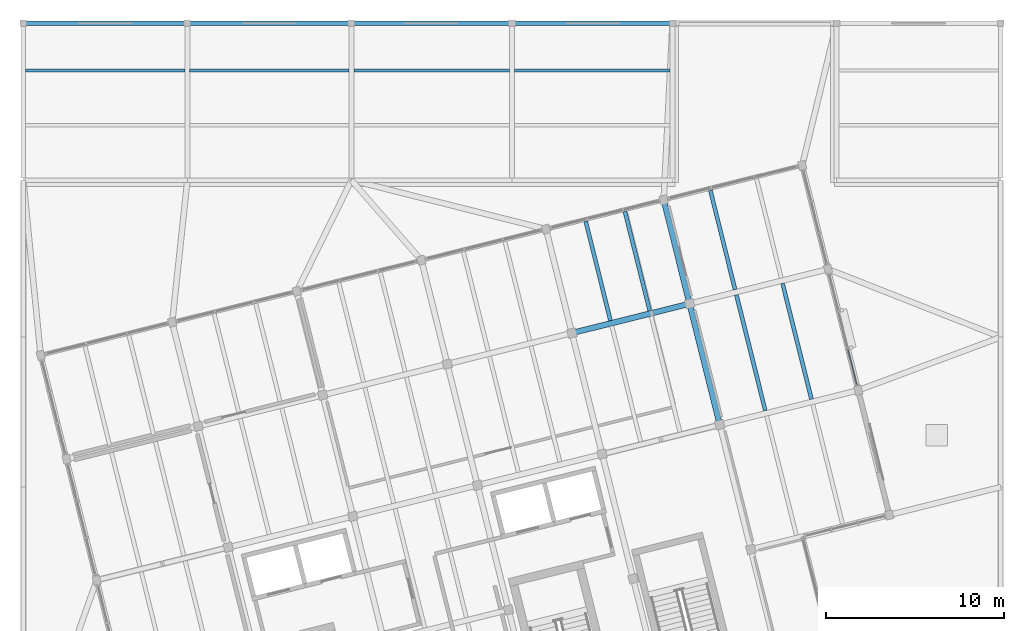
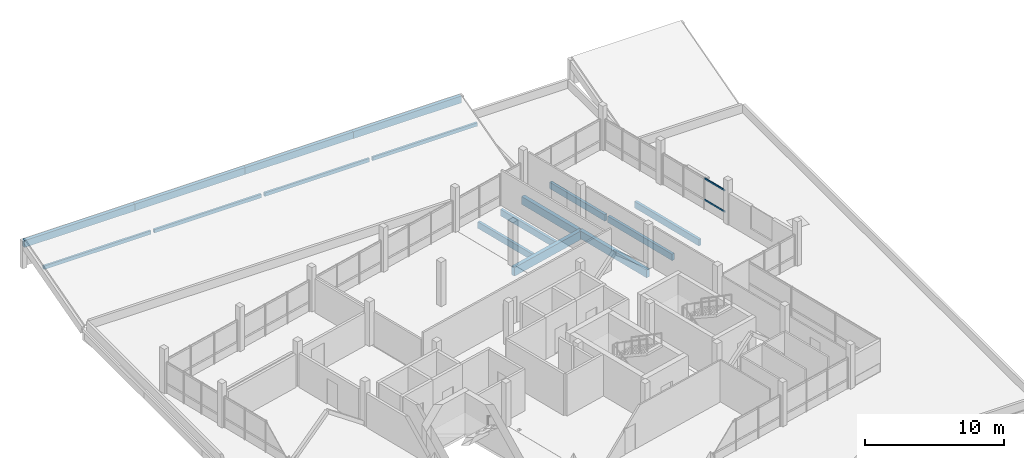
# One storey, part 27 of 37: 12 beams, 6 members, 1 element without a shape of its own.
"""IFC4 building model written with IfcOpenShell, lengths in metres."""

import ifcopenshell
import ifcopenshell.guid

model = None  # the IFC model being written
_history = None  # IfcOwnerHistory: only IFC2X3 demands one
_inside = {}  # id of a spatial element -> (the spatial element, [elements in it])
_under = {}  # id of a project, library or spatial element -> (it, [spatial elements below it])
_declared = {}  # id of a project -> (the project, [libraries it declares])
_typed = {}  # id of a type object -> (the type object, [elements of that type])
_made_of = {}  # id of a material, layer set ... -> (it, [elements and type objects made of it])


def new_model(schema):
    """Start an empty IFC model of exactly this schema.

    Asked for "IFC4X3", IfcOpenShell would pick the latest addendum, in which some entities
    have other attributes; the version numbers below select the first issue.
    IFC2X3 requires an IfcOwnerHistory on every rooted entity: one is made here for all.
    """
    global model, _history
    if schema == "IFC4X3":
        model = ifcopenshell.file(schema_version=(4, 3, 0, 0))
    else:
        model = ifcopenshell.file(schema=schema)
    _inside.clear()
    _under.clear()
    _declared.clear()
    _typed.clear()
    _made_of.clear()
    _history = None
    if model.schema == "IFC2X3":
        org = make("IfcOrganization", Name="unknown")
        user = make(
            "IfcPersonAndOrganization",
            ThePerson=make("IfcPerson", FamilyName="unknown"),
            TheOrganization=org,
        )
        app = make(
            "IfcApplication",
            ApplicationDeveloper=org,
            Version="unknown",
            ApplicationFullName="unknown",
            ApplicationIdentifier="unknown",
        )
        _history = make(
            "IfcOwnerHistory",
            OwningUser=user,
            OwningApplication=app,
            ChangeAction="ADDED",
            CreationDate=0,
        )
    return model


def make(cls, **values):
    """One entity of the class cls with the attributes given. An attribute that is None is left unset."""
    return model.create_entity(
        cls, **{name: value for name, value in values.items() if value is not None}
    )


def rooted(cls, **values):
    """An entity with a GlobalId (a new one), such as an element, a storey or a relation."""
    return make(cls, GlobalId=ifcopenshell.guid.new(), OwnerHistory=_history, **values)


def si_unit(unit_type, name, prefix=None):
    """IfcSIUnit, for example si_unit("LENGTHUNIT", "METRE", prefix="MILLI")."""
    return make("IfcSIUnit", UnitType=unit_type, Prefix=prefix, Name=name)


def assignment(units):
    """IfcUnitAssignment: the units of a project."""
    return None if units is None else make("IfcUnitAssignment", Units=units)


def point(xyz):
    """IfcCartesianPoint."""
    return None if xyz is None else make("IfcCartesianPoint", Coordinates=xyz)


def direction(xyz):
    """IfcDirection."""
    return None if xyz is None else make("IfcDirection", DirectionRatios=xyz)


def frame(location, z_axis=None, x_axis=None):
    """IfcAxis2Placement3D, a coordinate frame: its origin and axes. An axis left out is left unset."""
    return make(
        "IfcAxis2Placement3D",
        Location=point(location),
        Axis=direction(z_axis),
        RefDirection=direction(x_axis),
    )


def frame_2d(location, x_axis=None):
    """IfcAxis2Placement2D, a coordinate frame in the plane: its origin and x axis."""
    return make(
        "IfcAxis2Placement2D", Location=point(location), RefDirection=direction(x_axis)
    )


def origin():
    """The frame at (0, 0, 0) with its axes left unset."""
    return frame((0.0, 0.0, 0.0))


def origin_2d():
    """The frame at (0, 0) in the plane with its x axis left unset."""
    return frame_2d((0.0, 0.0))


def place(relative_to, where):
    """IfcLocalPlacement: puts the frame where relative to a parent placement (None: the world)."""
    return make(
        "IfcLocalPlacement", PlacementRelTo=relative_to, RelativePlacement=where
    )


def context(
    kind, dimensions, precision=None, world=None, true_north=None, identifier=None
):
    """IfcGeometricRepresentationContext, for example the 3D "Model" context."""
    return make(
        "IfcGeometricRepresentationContext",
        ContextIdentifier=identifier,
        ContextType=kind,
        CoordinateSpaceDimension=dimensions,
        Precision=precision,
        WorldCoordinateSystem=world,
        TrueNorth=true_north,
    )


def subcontext(parent, identifier, kind, view, scale=None):
    """IfcGeometricRepresentationSubContext, for example "Body" below "Model"."""
    return make(
        "IfcGeometricRepresentationSubContext",
        ContextIdentifier=identifier,
        ContextType=kind,
        ParentContext=parent,
        TargetScale=scale,
        TargetView=view,
    )


def project(units=None, contexts=None):
    """IfcProject with its units and contexts."""
    return rooted(
        "IfcProject",
        Name="project",
        RepresentationContexts=contexts,
        UnitsInContext=assignment(units),
    )


def spatial(cls, under=None, at=None, **own):
    """A site, building, storey or space (cls), placed at a placement, below another one or the project."""
    s = rooted(cls, ObjectPlacement=at, **own)
    if under is not None:
        _under.setdefault(under.id(), (under, []))[1].append(s)
    return s


def profile(cls, at=None, kind="AREA", **sizes):
    """A parametric profile (cls). Its sizes go by their IFC names, for example OverallWidth=200.0."""
    return make(cls, ProfileType=kind, Position=at, **sizes)


def rectangle(**sizes):
    """IfcRectangleProfileDef."""
    return profile("IfcRectangleProfileDef", **sizes)


def hollow_rectangle(**sizes):
    """IfcRectangleHollowProfileDef."""
    return profile("IfcRectangleHollowProfileDef", **sizes)


def extrude(swept, where, along, depth):
    """IfcExtrudedAreaSolid: the profile swept, set in the frame where, extruded along a direction by depth."""
    return make(
        "IfcExtrudedAreaSolid",
        SweptArea=swept,
        Position=where,
        ExtrudedDirection=direction(along),
        Depth=depth,
    )


def shape(context_of_items, identifier, shape_type, items):
    """IfcShapeRepresentation: the items that make up one representation, for example the "Body"."""
    return make(
        "IfcShapeRepresentation",
        ContextOfItems=context_of_items,
        RepresentationIdentifier=identifier,
        RepresentationType=shape_type,
        Items=items,
    )


def material(Name=None, Category=None):
    """IfcMaterial."""
    return make("IfcMaterial", Name=Name, Category=Category)


def layer(
    of_material, thickness, ventilated=None, Name=None, Category=None, Priority=None
):
    """IfcMaterialLayer: one layer of a wall or slab, of a material (None: an air gap)."""
    return make(
        "IfcMaterialLayer",
        Material=of_material,
        LayerThickness=thickness,
        IsVentilated=ventilated,
        Name=Name,
        Category=Category,
        Priority=Priority,
    )


def layer_set(layers, Name=None):
    """IfcMaterialLayerSet."""
    return make("IfcMaterialLayerSet", MaterialLayers=layers, LayerSetName=Name)


def material_profile(
    of_material, cross_section, Name=None, Category=None, Priority=None
):
    """IfcMaterialProfile: a cross section and its material."""
    return make(
        "IfcMaterialProfile",
        Name=Name,
        Material=of_material,
        Profile=cross_section,
        Priority=Priority,
        Category=Category,
    )


def profile_set(profiles, Name=None, composite=None):
    """IfcMaterialProfileSet."""
    return make(
        "IfcMaterialProfileSet",
        Name=Name,
        MaterialProfiles=profiles,
        CompositeProfile=composite,
    )


def made_of(thing, what):
    """Note that an element or type object is made of a material, layer set ...; save() writes the relation."""
    if what is not None:
        _made_of.setdefault(what.id(), (what, []))[1].append(thing)
    return thing


def type_object(cls, material=None, **own):
    """A type object (cls), such as IfcWallType, which elements share."""
    return made_of(rooted(cls, **own), material)


def element(
    cls,
    number,
    at=None,
    inside=None,
    cuts=None,
    type_object=None,
    material=None,
    context=None,
    identifier="Body",
    shape_type=None,
    held_by="IfcProductDefinitionShape",
    body=None,
    shapes=None,
    **own,
):
    """One element of the class cls, such as IfcWall. Its Tag is "e" and its number.

    at: its placement. inside: the storey or other place that contains it. cuts: it is an
    opening in that element (IfcRelVoidsElement). A single representation is given by context,
    identifier, shape_type and body (its items); several are given by shapes. held_by: the class
    of the entity that holds the representations. save() writes the other relations.
    """
    e = rooted(cls, Tag="e%d" % number, ObjectPlacement=at, **own)
    if body is not None:
        shapes = [shape(context, identifier, shape_type, body)]
    if shapes is not None:
        e.Representation = make(held_by, Representations=shapes)
    if inside is not None:
        _inside.setdefault(inside.id(), (inside, []))[1].append(e)
    if cuts is not None:
        rooted(
            "IfcRelVoidsElement", RelatingBuildingElement=cuts, RelatedOpeningElement=e
        )
    if type_object is not None:
        _typed.setdefault(type_object.id(), (type_object, []))[1].append(e)
    return made_of(e, material)


def aggregate(whole, parts):
    """IfcRelAggregates: a whole, such as a stair, and the parts it consists of."""
    return rooted("IfcRelAggregates", RelatingObject=whole, RelatedObjects=parts)


def save(model, path):
    """Write the relations noted so far, then the file.

    IfcRelAggregates (storeys below a building ...), IfcRelContainedInSpatialStructure (elements
    in a storey), IfcRelDefinesByType, IfcRelAssociatesMaterial and IfcRelDeclares: one each for
    every whole, place, type object, material and project.
    """
    for whole, parts in _under.values():
        aggregate(whole, parts)
    for where, things in _inside.values():
        rooted(
            "IfcRelContainedInSpatialStructure",
            RelatedElements=things,
            RelatingStructure=where,
        )
    for kind, things in _typed.values():
        rooted("IfcRelDefinesByType", RelatedObjects=things, RelatingType=kind)
    for what, things in _made_of.values():
        rooted("IfcRelAssociatesMaterial", RelatedObjects=things, RelatingMaterial=what)
    for by, libraries in _declared.values():
        rooted("IfcRelDeclares", RelatingContext=by, RelatedDefinitions=libraries)
    model.write(path)


model = new_model("IFC4")

# Units and contexts
model_context = context("Model", 3, precision=1e-05, world=origin(), true_north=direction((0.0, 1.0)))
body_context = subcontext(model_context, "Body", "Model", "MODEL_VIEW")
ifc_project = project(units=[si_unit("LENGTHUNIT", "METRE"), si_unit("AREAUNIT", "SQUARE_METRE"), si_unit("VOLUMEUNIT", "CUBIC_METRE"), si_unit("PLANEANGLEUNIT", "RADIAN"), si_unit("MASSUNIT", "GRAM", prefix="KILO")], contexts=[model_context])

# Site, building, storey
site_placement = place(None, origin())
site = spatial("IfcSite", under=ifc_project, at=site_placement, CompositionType="ELEMENT")
building_placement = place(site_placement, origin())
building = spatial("IfcBuilding", under=site, at=building_placement, Name="Meriwether Solvik Hall", CompositionType="ELEMENT")
storey_placement = place(building_placement, frame((0.0, 0.0, 26.10009765625)))
storey = spatial("IfcBuildingStorey", under=building, at=storey_placement, Name="L06", CompositionType="ELEMENT", Elevation=26.10009765625)

# Beams
ifc_material_1 = material(Name="Glulam Douglas-Fir 24F-V8 GL28h", Category="wood")
ifc_material_profile_1 = material_profile(ifc_material_1, rectangle(XDim=0.27294921875, YDim=0.610107421875, at=origin_2d()), Name="GLB-273X610")
ifc_profile_set_1 = profile_set([ifc_material_profile_1], Name="Glulam Douglas-Fir 24F-V8 GL28h")
beam_type_1 = type_object("IfcBeamType", Name="BM-GL-273X610", PredefinedType="SPANDREL", material=ifc_profile_set_1)
beam_1_placement = place(storey_placement, frame((59.39990234375, 92.800048828125, 2.095947265625), z_axis=(1.0, 0.0, 0.0), x_axis=(0.0, 1.0, 0.0)))
element("IfcBeam", 1, at=beam_1_placement, inside=storey, type_object=beam_type_1, Name="Roof Tie Beam K:7-8 (L06)", PredefinedType="SPANDREL", context=body_context, shape_type="SweptSolid", body=[
    extrude(rectangle(XDim=0.27294921875, YDim=0.610107421875, at=origin_2d()), origin(), (0.0, 0.0, 1.0), 9.2001953125),
])
beam_2_placement = place(storey_placement, frame((68.60009765625, 92.800048828125, 2.095947265625), z_axis=(1.0, 0.0, 0.0), x_axis=(0.0, 1.0, 0.0)))
element("IfcBeam", 2, at=beam_2_placement, inside=storey, type_object=beam_type_1, Name="Roof Tie Beam K:8-9 (L06)", PredefinedType="SPANDREL", context=body_context, shape_type="SweptSolid", body=[
    extrude(rectangle(XDim=0.27294921875, YDim=0.610107421875, at=origin_2d()), origin(), (0.0, 0.0, 1.0), 9.199951171875),
])
for number, where, z_axis, x_axis, name in (
    (3, (77.800048828125, 92.800048828125, 2.095947265625), (1.0, 0.0, 0.0), (0.0, 1.0, 0.0), "Roof Tie Beam K:9-10 (L06)"),
    (4, (86.800048828125, 92.800048828125, 2.095947265625), (1.0, 0.0, 0.0), (0.0, 1.0, 0.0), "Roof Tie Beam K:10-11 (L06)"),
):
    element("IfcBeam", number, at=place(storey_placement, frame(where, z_axis=z_axis, x_axis=x_axis)), inside=storey, type_object=beam_type_1, Name=name, PredefinedType="SPANDREL", context=body_context, shape_type="SweptSolid", body=[
        extrude(rectangle(XDim=0.27294921875, YDim=0.610107421875, at=origin_2d()), origin(), (0.0, 0.0, 1.0), 9.0),
    ])
ifc_material_2 = material(Name="Glulam Douglas-Fir 24F-V8 GL28h", Category="wood")
ifc_material_profile_2 = material_profile(ifc_material_2, rectangle(XDim=0.31494140625, YDim=0.68505859375, at=origin_2d()), Name="GLB-315X685")
ifc_profile_set_2 = profile_set([ifc_material_profile_2], Name="Glulam Douglas-Fir 24F-V8 GL28h")
beam_type_2 = type_object("IfcBeamType", Name="BM-GL-315X685", PredefinedType="BEAM", material=ifc_profile_set_2)
beam_3_placement = place(storey_placement, frame((98.4501953125, 70.285400390625, -0.5625), z_axis=(-0.241911879182, 0.970298223594, 0.0), x_axis=(-0.970298223594, -0.241911879182, 0.0)))
element("IfcBeam", 5, at=beam_3_placement, inside=storey, type_object=beam_type_2, Name="Tower Girder T6:TD-TE (L06)", PredefinedType="BEAM", context=body_context, shape_type="SweptSolid", body=[
    extrude(rectangle(XDim=0.31494140625, YDim=0.68505859375, at=origin_2d()), origin(), (0.0, 0.0, 1.0), 7.0),
])
beam_4_placement = place(storey_placement, frame((96.7568359375, 77.077392578125, -0.612548828125), z_axis=(-0.241903677572, 0.970300268359, 0.0), x_axis=(-0.970300268359, -0.241903677572, 0.0)))
element("IfcBeam", 6, at=beam_4_placement, inside=storey, type_object=beam_type_2, Name="Tower Girder T6:TE-TF (L06)", PredefinedType="BEAM", context=body_context, shape_type="SweptSolid", body=[
    extrude(rectangle(XDim=0.31494140625, YDim=0.68505859375, at=origin_2d()), origin(), (0.0, 0.0, 1.0), 6.0),
])
ifc_material_3 = material(Name="Glulam Douglas-Fir 24F-V8 GL28h", Category="wood")
ifc_material_profile_3 = material_profile(ifc_material_3, rectangle(XDim=0.31494140625, YDim=0.760009765625, at=origin_2d()), Name="GLB-315X760")
ifc_profile_set_3 = profile_set([ifc_material_profile_3], Name="Glulam Douglas-Fir 24F-V8 GL28h")
beam_type_3 = type_object("IfcBeamType", Name="BM-GL-315X760", PredefinedType="BEAM", material=ifc_profile_set_3)
beam_5_placement = place(storey_placement, frame((90.158935546875, 75.432373046875, -0.60009765625), z_axis=(0.970296478685, 0.241918877831, 0.0), x_axis=(-0.241918877831, 0.970296478685, 0.0)))
element("IfcBeam", 7, at=beam_5_placement, inside=storey, type_object=beam_type_3, Name="Tower Girder TE:T5-T6 (L06)", PredefinedType="BEAM", context=body_context, shape_type="SweptSolid", body=[
    extrude(rectangle(XDim=0.31494140625, YDim=0.760009765625, at=origin_2d()), origin(), (0.0, 0.0, 1.0), 6.7998046875),
])

# Curtain wall, members
ifc_material_4 = material(Name="Thermally Broken Anodised Aluminium 6063-T6 and Low-E Glass", Category="aluminium")
ifc_layer = layer(ifc_material_4, 0.179931640625)
ifc_layer_set = layer_set([ifc_layer], Name="Thermally Broken Anodised Aluminium 6063-T6 and Low-E Glass")
curtain_wall_type = type_object("IfcCurtainWallType", Name="CW-UNIT-A", PredefinedType="USERDEFINED", material=ifc_layer_set)
curtain_wall_placement = place(storey_placement, origin())
curtain_wall = element("IfcCurtainWall", 8, at=curtain_wall_placement, inside=storey, type_object=curtain_wall_type, Name="Curtain Wall E3_B1 (L06)", ObjectType="UNITISED CURTAIN WALL", PredefinedType="USERDEFINED")
ifc_material_5 = material(Name="Anodised Aluminium 6063-T6", Category="aluminium")
ifc_material_profile_4 = material_profile(ifc_material_5, hollow_rectangle(XDim=0.06494140625, YDim=0.139892578125, WallThickness=0.00439453125, at=origin_2d()), Name="CWT-65X140")
ifc_profile_set_4 = profile_set([ifc_material_profile_4], Name="Anodised Aluminium 6063-T6")
member_type_1 = type_object("IfcMemberType", Name="CW-TRN-65X140", PredefinedType="USERDEFINED", material=ifc_profile_set_4)
member_1_placement = place(storey_placement, frame((105.627197265625, 74.56884765625, 0.824951171875), z_axis=(0.241913047052, -0.970297932424, 0.0), x_axis=(0.970297932424, 0.241913047052, 0.0)))
member_1 = element("IfcMember", 9, at=member_1_placement, type_object=member_type_1, Name="Curtain Wall Transom 3-sill", ObjectType="TRANSOM", PredefinedType="USERDEFINED", context=body_context, shape_type="SweptSolid", body=[
    extrude(hollow_rectangle(XDim=0.06494140625, YDim=0.139892578125, WallThickness=0.00439453125, at=origin_2d()), origin(), (0.0, 0.0, 1.0), 2.122314453125),
])
member_2_placement = place(storey_placement, frame((105.627197265625, 74.56884765625, 2.68994140625), z_axis=(0.241913047052, -0.970297932424, 0.0), x_axis=(0.970297932424, 0.241913047052, 0.0)))
member_2 = element("IfcMember", 10, at=member_2_placement, type_object=member_type_1, Name="Curtain Wall Transom 3-head", ObjectType="TRANSOM", PredefinedType="USERDEFINED", context=body_context, shape_type="SweptSolid", body=[
    extrude(hollow_rectangle(XDim=0.06494140625, YDim=0.139892578125, WallThickness=0.00439453125, at=origin_2d()), origin(), (0.0, 0.0, 1.0), 2.122314453125),
])
aggregate(curtain_wall, [member_1, member_2])

# Beams
ifc_material_6 = material(Name="Glulam Douglas-Fir 24F-V8 GL28h", Category="wood")
ifc_material_profile_5 = material_profile(ifc_material_6, rectangle(XDim=0.221923828125, YDim=0.570068359375, at=origin_2d()), Name="GLJ-222X570")
ifc_profile_set_5 = profile_set([ifc_material_profile_5], Name="Glulam Douglas-Fir 24F-V8 GL28h")
beam_type_4 = type_object("IfcBeamType", Name="JST-GL-222X570", PredefinedType="JOIST", material=ifc_profile_set_5)
for number, where, z_axis, x_axis, name in (
    (11, (92.3212890625, 76.128662109375, -0.55517578125), (-0.241905253991, 0.970299875343, 0.0), (-0.970299875343, -0.241905253991, 0.0), "Glulam Floor Joist T5/TE-J1 (L06)"),
    (12, (94.5205078125, 76.677001953125, -0.55517578125), (-0.241905253991, 0.970299875343, 0.0), (-0.970299875343, -0.241905253991, 0.0), "Glulam Floor Joist T5/TE-J2 (L06)"),
):
    element("IfcBeam", number, at=place(storey_placement, frame(where, z_axis=z_axis, x_axis=x_axis)), inside=storey, type_object=beam_type_4, Name=name, PredefinedType="JOIST", context=body_context, shape_type="SweptSolid", body=[
        extrude(rectangle(XDim=0.221923828125, YDim=0.570068359375, at=origin_2d()), origin(), (0.0, 0.0, 1.0), 5.741455078125),
    ])
for number, where, z_axis, x_axis, name in (
    (13, (101.0009765625, 71.07861328125, -0.505126953125), (-0.241952124656, 0.970288188825, 0.0), (-0.970288188825, -0.241952124656, 0.0), "Glulam Floor Joist T6/TD-J1 (L06)"),
    (14, (103.58837890625, 71.7236328125, -0.505126953125), (-0.241952124656, 0.970288188825, 0.0), (-0.970288188825, -0.241952124656, 0.0), "Glulam Floor Joist T6/TD-J2 (L06)"),
):
    element("IfcBeam", number, at=place(storey_placement, frame(where, z_axis=z_axis, x_axis=x_axis)), inside=storey, type_object=beam_type_4, Name=name, PredefinedType="JOIST", context=body_context, shape_type="SweptSolid", body=[
        extrude(rectangle(XDim=0.221923828125, YDim=0.570068359375, at=origin_2d()), origin(), (0.0, 0.0, 1.0), 6.695068359375),
    ])
beam_6_placement = place(storey_placement, frame((99.307373046875, 77.87060546875, -0.55517578125), z_axis=(-0.241915235082, 0.970297386905, 0.0), x_axis=(-0.970297386905, -0.241915235082, 0.0)))
element("IfcBeam", 15, at=beam_6_placement, inside=storey, type_object=beam_type_4, Name="Glulam Floor Joist T6/TE-J1 (L06)", PredefinedType="JOIST", context=body_context, shape_type="SweptSolid", body=[
    extrude(rectangle(XDim=0.221923828125, YDim=0.570068359375, at=origin_2d()), origin(), (0.0, 0.0, 1.0), 5.741455078125),
])

# Members
ifc_material_7 = material(Name="Glulam Douglas-Fir 24F-V8 GL28h", Category="wood")
ifc_material_profile_6 = material_profile(ifc_material_7, rectangle(XDim=0.175048828125, YDim=0.304931640625, at=origin_2d()), Name="GLM-175X305")
ifc_profile_set_6 = profile_set([ifc_material_profile_6], Name="Glulam Douglas-Fir 24F-V8 GL28h")
member_type_2 = type_object("IfcMemberType", Name="MEM-PRL-GL175", PredefinedType="PURLIN", material=ifc_profile_set_6)
for number, where, z_axis, x_axis, name in (
    (16, (59.532470703125, 90.159912109375, 1.5224609375), (1.0, 0.0, 0.0), (0.0, 1.0, 0.0), "Sloped Roof Glulam Purlin w4b_north_w-1.2"),
    (17, (68.732421875, 90.159912109375, 1.5224609375), (1.0, 0.0, 0.0), (0.0, 1.0, 0.0), "Sloped Roof Glulam Purlin w4b_north_w-2.2"),
):
    element("IfcMember", number, at=place(storey_placement, frame(where, z_axis=z_axis, x_axis=x_axis)), inside=storey, type_object=member_type_2, Name=name, PredefinedType="PURLIN", context=body_context, shape_type="SweptSolid", body=[
        extrude(rectangle(XDim=0.175048828125, YDim=0.304931640625, at=origin_2d()), origin(), (0.0, 0.0, 1.0), 8.93505859375),
    ])
for number, where, z_axis, x_axis, name in (
    (18, (77.9326171875, 90.159912109375, 1.5224609375), (1.0, 0.0, 0.0), (0.0, 1.0, 0.0), "Sloped Roof Glulam Purlin w4b_north_w-3.2"),
    (19, (86.9326171875, 90.159912109375, 1.5224609375), (1.0, 0.0, 0.0), (0.0, 1.0, 0.0), "Sloped Roof Glulam Purlin w4b_north_w-4.2"),
):
    element("IfcMember", number, at=place(storey_placement, frame(where, z_axis=z_axis, x_axis=x_axis)), inside=storey, type_object=member_type_2, Name=name, PredefinedType="PURLIN", context=body_context, shape_type="SweptSolid", body=[
        extrude(rectangle(XDim=0.175048828125, YDim=0.304931640625, at=origin_2d()), origin(), (0.0, 0.0, 1.0), 8.73486328125),
    ])

save(model, "model.ifc")
